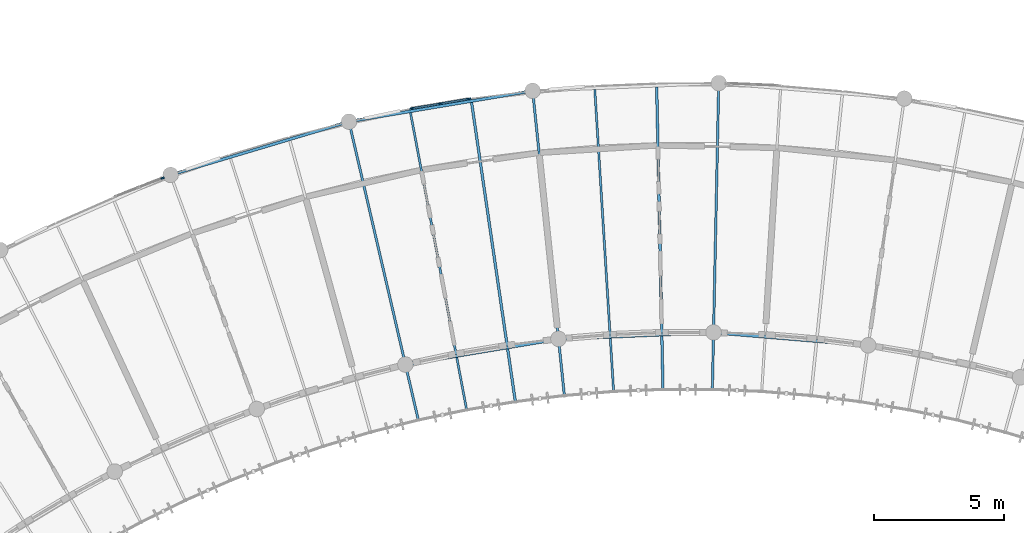
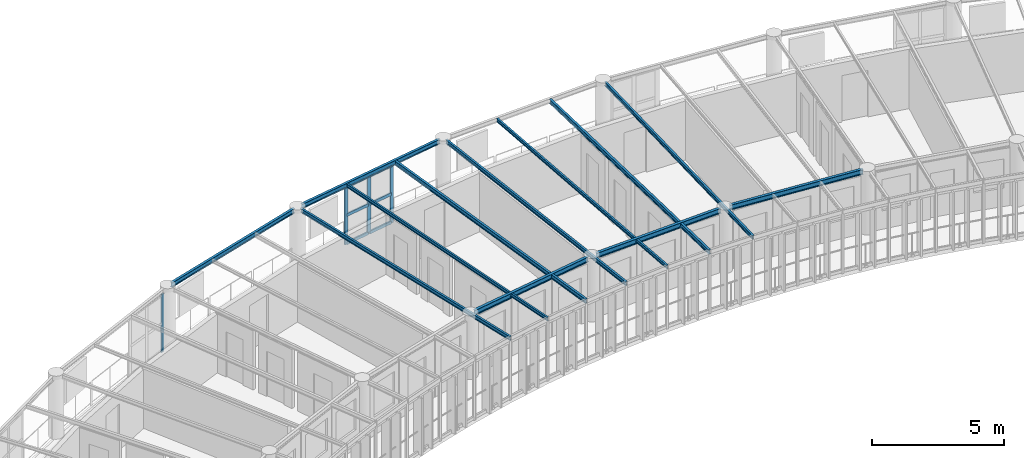
# One storey, part 34 of 101: 12 beams, 10 members, 2 elements without a shape of their own.
"""IFC4 building model written with IfcOpenShell, lengths in metres."""

from ifc_helpers import new_model, si_unit, direction, frame, origin, origin_2d, place, context, subcontext, project, spatial, rectangle, i_section, extrude, material, layer, layer_set, material_profile, profile_set, type_object, element, aggregate, save


model = new_model("IFC4")

# Units and contexts
model_context = context("Model", 3, precision=1e-05, world=origin(), true_north=direction((0.0, 1.0)))
body_context = subcontext(model_context, "Body", "Model", "MODEL_VIEW")
ifc_project = project(units=[si_unit("LENGTHUNIT", "METRE"), si_unit("AREAUNIT", "SQUARE_METRE"), si_unit("VOLUMEUNIT", "CUBIC_METRE"), si_unit("PLANEANGLEUNIT", "RADIAN"), si_unit("MASSUNIT", "GRAM", prefix="KILO"), si_unit("POWERUNIT", "WATT"), si_unit("THERMODYNAMICTEMPERATUREUNIT", "KELVIN")], contexts=[model_context])

# Site, building, storey
site_placement = place(None, origin())
site = spatial("IfcSite", under=ifc_project, at=site_placement, CompositionType="ELEMENT")
building_placement = place(site_placement, origin())
building = spatial("IfcBuilding", under=site, at=building_placement, Name="Ruvembo Vaulted Housing Court", CompositionType="ELEMENT")
storey_placement = place(building_placement, frame((0.0, 0.0, 17.300048828125)))
storey = spatial("IfcBuildingStorey", under=building, at=storey_placement, Name="L05", CompositionType="ELEMENT", Elevation=17.300048828125)

# Beams
ifc_material_1 = material(Name="Steel S355J2", Category="steel")
ifc_material_profile_1 = material_profile(ifc_material_1, i_section(OverallWidth=0.08203125, OverallDepth=0.159912109375, WebThickness=0.0048828125, FlangeThickness=0.00732421875, FilletRadius=0.009033203125, at=origin_2d()), Name="IPE 160")
ifc_profile_set_1 = profile_set([ifc_material_profile_1], Name="Steel S355J2")
beam_type_1 = type_object("IfcBeamType", Name="BM-ST-IPE160", PredefinedType="JOIST", material=ifc_profile_set_1)
for number, where, z_axis, x_axis, name in (
    (1, (106.33056640625, 106.451416015625, 2.85205078125), (0.185715658809, -0.982603528425, 0.0), (0.982603528425, 0.185715658809, 0.0), "Scoop SC3 L05 Radial Steel Joist 10"),
    (2, (113.425048828125, 107.33935546875, 2.85205078125), (0.062232670177, -0.998061668817, 0.0), (0.998061668817, 0.062232670177, 0.0), "Scoop SC3 L05 Radial Steel Joist 13"),
):
    element("IfcBeam", number, at=place(storey_placement, frame(where, z_axis=z_axis, x_axis=x_axis)), inside=storey, type_object=beam_type_1, Name=name, PredefinedType="JOIST", context=body_context, shape_type="SweptSolid", body=[
        extrude(i_section(OverallWidth=0.08203125, OverallDepth=0.159912109375, WebThickness=0.0048828125, FlangeThickness=0.00732421875, FilletRadius=0.009033203125, at=origin_2d()), origin(), (0.0, 0.0, 1.0), 11.690673828125),
    ])
ifc_material_profile_2 = material_profile(ifc_material_1, i_section(OverallWidth=0.091064453125, OverallDepth=0.179931640625, WebThickness=0.00537109375, FlangeThickness=0.008056640625, FilletRadius=0.009033203125, at=origin_2d()), Name="IPE 180")
ifc_profile_set_2 = profile_set([ifc_material_profile_2], Name="Steel S355J2")
beam_type_2 = type_object("IfcBeamType", Name="BM-ST-IPE180", PredefinedType="JOIST", material=ifc_profile_set_2)
for number, where, z_axis, x_axis, name in (
    (3, (104.00634765625, 105.920166015625, 2.842041015625), (0.226348432731, -0.974046398792, 0.0), (0.974046398792, 0.226348432731, 0.0), "Scoop SC3 L05 Radial Steel Joist 9"),
    (4, (111.052978515625, 107.10107421875, 2.842041015625), (0.103588375978, -0.994620253344, 0.0), (0.994620253344, 0.103588375978, 0.0), "Scoop SC3 L05 Radial Steel Joist 12"),
):
    element("IfcBeam", number, at=place(storey_placement, frame(where, z_axis=z_axis, x_axis=x_axis)), inside=storey, type_object=beam_type_2, Name=name, PredefinedType="JOIST", context=body_context, shape_type="SweptSolid", body=[
        extrude(i_section(OverallWidth=0.091064453125, OverallDepth=0.179931640625, WebThickness=0.00537109375, FlangeThickness=0.008056640625, FilletRadius=0.009033203125, at=origin_2d()), origin(), (0.0, 0.0, 1.0), 11.64990234375),
    ])
beam_1_placement = place(storey_placement, frame((118.19140625, 107.397705078125, 2.842041015625), z_axis=(-0.020746335574, -0.999784771618, 0.0), x_axis=(0.999784771618, -0.020746335574, 0.0)))
element("IfcBeam", 5, at=beam_1_placement, inside=storey, type_object=beam_type_2, Name="Scoop SC3 L05 Radial Steel Joist 15", PredefinedType="JOIST", context=body_context, shape_type="SweptSolid", body=[
    extrude(i_section(OverallWidth=0.091064453125, OverallDepth=0.179931640625, WebThickness=0.00537109375, FlangeThickness=0.008056640625, FilletRadius=0.009033203125, at=origin_2d()), origin(), (0.0, 0.0, 1.0), 11.650146484375),
])
ifc_material_profile_3 = material_profile(ifc_material_1, i_section(OverallWidth=0.10009765625, OverallDepth=0.199951171875, WebThickness=0.005615234375, FlangeThickness=0.008544921875, FilletRadius=0.011962890625, at=origin_2d()), Name="IPE 200")
ifc_profile_set_3 = profile_set([ifc_material_profile_3], Name="Steel S355J2")
beam_type_3 = type_object("IfcBeamType", Name="BM-ST-IPE200", PredefinedType="BEAM", material=ifc_profile_set_3)
beam_2_placement = place(storey_placement, frame((108.6826171875, 106.845458984375, 2.83203125), z_axis=(0.144762278676, -0.989466463642, 0.0), x_axis=(0.989466463642, 0.144762278676, 0.0)))
element("IfcBeam", 6, at=beam_2_placement, inside=storey, type_object=beam_type_3, Name="Scoop SC3 L05 Radial Steel Joist 11", PredefinedType="BEAM", context=body_context, shape_type="SweptSolid", body=[
    extrude(i_section(OverallWidth=0.10009765625, OverallDepth=0.199951171875, WebThickness=0.005615234375, FlangeThickness=0.008544921875, FilletRadius=0.011962890625, at=origin_2d()), origin(), (0.0, 0.0, 1.0), 11.690673828125),
])
beam_3_placement = place(storey_placement, frame((115.8076171875, 107.4384765625, 2.83203125), z_axis=(0.020757495044, -0.999784539988, 0.0), x_axis=(0.999784539988, 0.020757495044, 0.0)))
element("IfcBeam", 7, at=beam_3_placement, inside=storey, type_object=beam_type_3, Name="Scoop SC3 L05 Radial Steel Joist 14", PredefinedType="BEAM", context=body_context, shape_type="SweptSolid", body=[
    extrude(i_section(OverallWidth=0.10009765625, OverallDepth=0.199951171875, WebThickness=0.005615234375, FlangeThickness=0.008544921875, FilletRadius=0.011962890625, at=origin_2d()), origin(), (0.0, 0.0, 1.0), 11.69091796875),
])
ifc_material_profile_4 = material_profile(ifc_material_1, i_section(OverallWidth=0.110107421875, OverallDepth=0.219970703125, WebThickness=0.005859375, FlangeThickness=0.00927734375, FilletRadius=0.011962890625, at=origin_2d()), Name="IPE 220")
ifc_profile_set_4 = profile_set([ifc_material_profile_4], Name="Steel S355J2")
beam_type_4 = type_object("IfcBeamType", Name="BM-ST-IPE220", PredefinedType="SPANDREL", material=ifc_profile_set_4)
beam_4_placement = place(storey_placement, frame((97.277587890625, 104.10595703125, 2.823974609375), z_axis=(0.95808325874, 0.286489911379, 0.0), x_axis=(-0.286489911379, 0.95808325874, 0.0)))
element("IfcBeam", 8, at=beam_4_placement, inside=storey, type_object=beam_type_4, Name="Scoop SC3 L05 Chord Girder B6", PredefinedType="SPANDREL", context=body_context, shape_type="SweptSolid", body=[
    extrude(i_section(OverallWidth=0.110107421875, OverallDepth=0.219970703125, WebThickness=0.005859375, FlangeThickness=0.00927734375, FilletRadius=0.011962890625, at=origin_2d()), origin(), (0.0, 0.0, 1.0), 6.78857421875),
])
beam_5_placement = place(storey_placement, frame((104.15087890625, 106.13671875, 2.823974609375), z_axis=(0.986243820998, 0.165297082682, 0.0), x_axis=(-0.165297082682, 0.986243820998, 0.0)))
element("IfcBeam", 9, at=beam_5_placement, inside=storey, type_object=beam_type_4, Name="Scoop SC3 L05 Chord Girder B9", PredefinedType="SPANDREL", context=body_context, shape_type="SweptSolid", body=[
    extrude(i_section(OverallWidth=0.110107421875, OverallDepth=0.219970703125, WebThickness=0.005859375, FlangeThickness=0.00927734375, FilletRadius=0.011962890625, at=origin_2d()), origin(), (0.0, 0.0, 1.0), 6.7880859375),
])
ifc_material_profile_5 = material_profile(ifc_material_1, i_section(OverallWidth=0.1201171875, OverallDepth=0.239990234375, WebThickness=0.006103515625, FlangeThickness=0.009765625, FilletRadius=0.014892578125, at=origin_2d()), Name="IPE 240")
ifc_profile_set_5 = profile_set([ifc_material_profile_5], Name="Steel S355J2")
beam_type_5 = type_object("IfcBeamType", Name="BM-ST-IPE240", PredefinedType="BEAM", material=ifc_profile_set_5)
for number, where, z_axis, x_axis, name in (
    (10, (106.323486328125, 96.785888671875, 2.81396484375), (0.986246077764, 0.165283617139, 0.0), (-0.165283617139, 0.986246077764, 0.0), "Scoop SC3 L05 Chord Girder F9"),
    (11, (112.217529296875, 97.749755859375, 2.81396484375), (0.999140018257, 0.041463525133, 0.0), (-0.041463525133, 0.999140018257, 0.0), "Scoop SC3 L05 Chord Girder F12"),
    (12, (118.185546875, 97.973876953125, 2.81396484375), (0.99655568421, -0.082926282135, 0.0), (0.082926282135, 0.99655568421, 0.0), "Scoop SC3 L05 Chord Girder F15"),
):
    element("IfcBeam", number, at=place(storey_placement, frame(where, z_axis=z_axis, x_axis=x_axis)), inside=storey, type_object=beam_type_5, Name=name, PredefinedType="BEAM", context=body_context, shape_type="SweptSolid", body=[
        extrude(i_section(OverallWidth=0.1201171875, OverallDepth=0.239990234375, WebThickness=0.006103515625, FlangeThickness=0.009765625, FilletRadius=0.014892578125, at=origin_2d()), origin(), (0.0, 0.0, 1.0), 5.59375),
    ])

# Curtain wall, member
ifc_material_2 = material(Name="Anodised Aluminium and Solar-Control Glass", Category="aluminium")
ifc_layer_1 = layer(ifc_material_2, 0.1201171875, Name="Anodised Aluminium and Solar-Control Glass")
ifc_layer_set_1 = layer_set([ifc_layer_1], Name="Anodised Aluminium and Solar-Control Glass")
curtain_wall_type_1 = type_object("IfcCurtainWallType", Name="CW-SCOOP-GAL", PredefinedType="NOTDEFINED", material=ifc_layer_set_1)
curtain_wall_1_placement = place(storey_placement, origin())
curtain_wall_1 = element("IfcCurtainWall", 13, at=curtain_wall_1_placement, inside=storey, type_object=curtain_wall_type_1, Name="L05 Curtain Wall CW-L05-0084", PredefinedType="NOTDEFINED")
ifc_material_3 = material(Name="Anodised Aluminium 6063-T6", Category="aluminium")
ifc_material_profile_6 = material_profile(ifc_material_3, rectangle(XDim=0.06005859375, YDim=0.139892578125, at=origin_2d()), Name="ALU 60x140")
ifc_profile_set_6 = profile_set([ifc_material_profile_6], Name="Anodised Aluminium 6063-T6")
member_type_1 = type_object("IfcMemberType", Name="CW-MUL-60x140", PredefinedType="MULLION", material=ifc_profile_set_6)
member_1_placement = place(storey_placement, frame((96.788330078125, 103.93115234375, 0.0), z_axis=(0.0, 0.0, 1.0), x_axis=(-0.36500342181, 0.931006177244, 0.0)))
member_1 = element("IfcMember", 14, at=member_1_placement, type_object=member_type_1, Name="CW6 mullion 3", PredefinedType="MULLION", context=body_context, shape_type="SweptSolid", body=[
    extrude(rectangle(XDim=0.06005859375, YDim=0.139892578125, at=origin_2d()), origin(), (0.0, 0.0, 1.0), 2.68994140625),
])
aggregate(curtain_wall_1, [member_1])

# Curtain wall, members
ifc_layer_2 = layer(ifc_material_2, 0.139892578125, Name="Anodised Aluminium and Solar-Control Glass")
ifc_layer_set_2 = layer_set([ifc_layer_2], Name="Anodised Aluminium and Solar-Control Glass")
curtain_wall_type_2 = type_object("IfcCurtainWallType", Name="CW-SCOOP-PAN", PredefinedType="NOTDEFINED", material=ifc_layer_set_2)
curtain_wall_2_placement = place(storey_placement, origin())
curtain_wall_2 = element("IfcCurtainWall", 15, at=curtain_wall_2_placement, inside=storey, type_object=curtain_wall_type_2, Name="L05 Curtain Wall CW-L05-0085", PredefinedType="NOTDEFINED")
ifc_material_profile_7 = material_profile(ifc_material_3, rectangle(XDim=0.06005859375, YDim=0.159912109375, at=origin_2d()), Name="ALU 60x160")
ifc_profile_set_7 = profile_set([ifc_material_profile_7], Name="Anodised Aluminium 6063-T6")
member_type_2 = type_object("IfcMemberType", Name="CW-MULLION-65x150", PredefinedType="MULLION", material=ifc_profile_set_7)
member_2_placement = place(storey_placement, frame((106.3818359375, 106.611328125, 0.0), z_axis=(0.0, 0.0, 1.0), x_axis=(-0.165262505305, 0.986249615635, 0.0)))
member_2 = element("IfcMember", 16, at=member_2_placement, type_object=member_type_2, Name="CW10 mullion 1", PredefinedType="MULLION", context=body_context, shape_type="SweptSolid", body=[
    extrude(rectangle(XDim=0.06005859375, YDim=0.159912109375, at=origin_2d()), origin(), (0.0, 0.0, 1.0), 2.68994140625),
])
member_3_placement = place(storey_placement, frame((107.48193359375, 106.795654296875, 0.0), z_axis=(0.0, 0.0, 1.0), x_axis=(-0.165262505305, 0.986249615635, 0.0)))
member_3 = element("IfcMember", 17, at=member_3_placement, type_object=member_type_2, Name="CW10 mullion 2", PredefinedType="MULLION", context=body_context, shape_type="SweptSolid", body=[
    extrude(rectangle(XDim=0.06005859375, YDim=0.159912109375, at=origin_2d()), origin(), (0.0, 0.0, 1.0), 2.68994140625),
])
member_4_placement = place(storey_placement, frame((108.58203125, 106.97998046875, 0.0), z_axis=(0.0, 0.0, 1.0), x_axis=(-0.165262505305, 0.986249615635, 0.0)))
member_4 = element("IfcMember", 18, at=member_4_placement, type_object=member_type_2, Name="CW10 mullion 3", PredefinedType="MULLION", context=body_context, shape_type="SweptSolid", body=[
    extrude(rectangle(XDim=0.06005859375, YDim=0.159912109375, at=origin_2d()), origin(), (0.0, 0.0, 1.0), 2.68994140625),
])
ifc_material_profile_8 = material_profile(ifc_material_3, rectangle(XDim=0.06494140625, YDim=0.135009765625, at=origin_2d()), Name="ALU 65x135")
ifc_profile_set_8 = profile_set([ifc_material_profile_8], Name="Anodised Aluminium 6063-T6")
member_type_3 = type_object("IfcMemberType", Name="CW-TRN-65x135", PredefinedType="USERDEFINED", material=ifc_profile_set_8)
member_5_placement = place(storey_placement, frame((106.411376953125, 106.6162109375, 0.032470703125), z_axis=(0.986268610863, 0.16514910604, 0.0), x_axis=(-0.16514910604, 0.986268610863, 0.0)))
member_5 = element("IfcMember", 19, at=member_5_placement, type_object=member_type_3, Name="CW10 transom 1.1", ObjectType="TRANSOM", PredefinedType="USERDEFINED", context=body_context, shape_type="SweptSolid", body=[
    extrude(rectangle(XDim=0.06494140625, YDim=0.135009765625, at=origin_2d()), origin(), (0.0, 0.0, 1.0), 1.055419921875),
])
member_6_placement = place(storey_placement, frame((106.411376953125, 106.6162109375, 1.344970703125), z_axis=(0.986268610863, 0.16514910604, 0.0), x_axis=(-0.16514910604, 0.986268610863, 0.0)))
member_6 = element("IfcMember", 20, at=member_6_placement, type_object=member_type_3, Name="CW10 transom 1.2", ObjectType="TRANSOM", PredefinedType="USERDEFINED", context=body_context, shape_type="SweptSolid", body=[
    extrude(rectangle(XDim=0.06494140625, YDim=0.135009765625, at=origin_2d()), origin(), (0.0, 0.0, 1.0), 1.055419921875),
])
member_7_placement = place(storey_placement, frame((106.411376953125, 106.6162109375, 2.657470703125), z_axis=(0.986268610863, 0.16514910604, 0.0), x_axis=(-0.16514910604, 0.986268610863, 0.0)))
member_7 = element("IfcMember", 21, at=member_7_placement, type_object=member_type_3, Name="CW10 transom 1.3", ObjectType="TRANSOM", PredefinedType="USERDEFINED", context=body_context, shape_type="SweptSolid", body=[
    extrude(rectangle(XDim=0.06494140625, YDim=0.135009765625, at=origin_2d()), origin(), (0.0, 0.0, 1.0), 1.055419921875),
])
member_8_placement = place(storey_placement, frame((107.511474609375, 106.800537109375, 0.032470703125), z_axis=(0.986230911972, 0.165374085849, 0.0), x_axis=(-0.165374085849, 0.986230911972, 0.0)))
member_8 = element("IfcMember", 22, at=member_8_placement, type_object=member_type_3, Name="CW10 transom 2.1", ObjectType="TRANSOM", PredefinedType="USERDEFINED", context=body_context, shape_type="SweptSolid", body=[
    extrude(rectangle(XDim=0.06494140625, YDim=0.135009765625, at=origin_2d()), origin(), (0.0, 0.0, 1.0), 1.0556640625),
])
member_9_placement = place(storey_placement, frame((107.511474609375, 106.800537109375, 1.344970703125), z_axis=(0.986230911972, 0.165374085849, 0.0), x_axis=(-0.165374085849, 0.986230911972, 0.0)))
member_9 = element("IfcMember", 23, at=member_9_placement, type_object=member_type_3, Name="CW10 transom 2.2", ObjectType="TRANSOM", PredefinedType="USERDEFINED", context=body_context, shape_type="SweptSolid", body=[
    extrude(rectangle(XDim=0.06494140625, YDim=0.135009765625, at=origin_2d()), origin(), (0.0, 0.0, 1.0), 1.0556640625),
])
member_10_placement = place(storey_placement, frame((107.511474609375, 106.800537109375, 2.657470703125), z_axis=(0.986230911972, 0.165374085849, 0.0), x_axis=(-0.165374085849, 0.986230911972, 0.0)))
member_10 = element("IfcMember", 24, at=member_10_placement, type_object=member_type_3, Name="CW10 transom 2.3", ObjectType="TRANSOM", PredefinedType="USERDEFINED", context=body_context, shape_type="SweptSolid", body=[
    extrude(rectangle(XDim=0.06494140625, YDim=0.135009765625, at=origin_2d()), origin(), (0.0, 0.0, 1.0), 1.0556640625),
])
aggregate(curtain_wall_2, [member_2, member_3, member_4, member_5, member_6, member_7, member_8, member_9, member_10])

save(model, "model.ifc")
